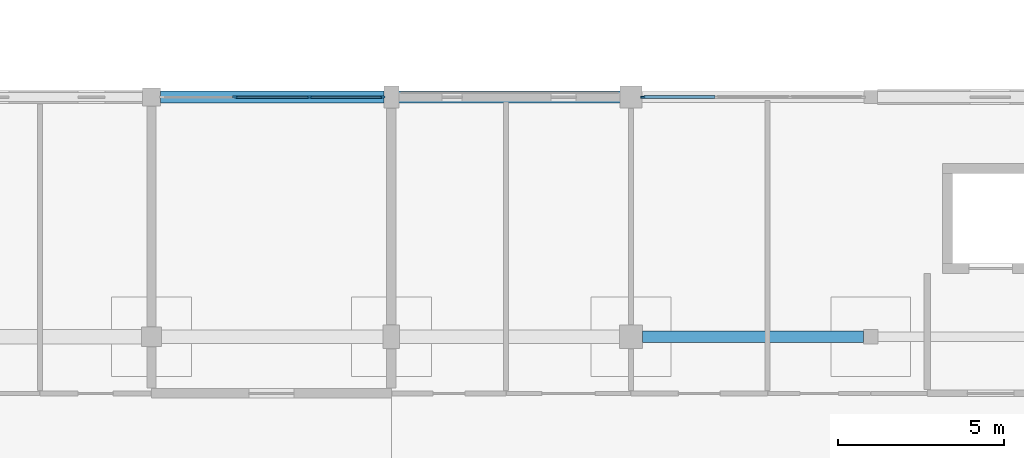
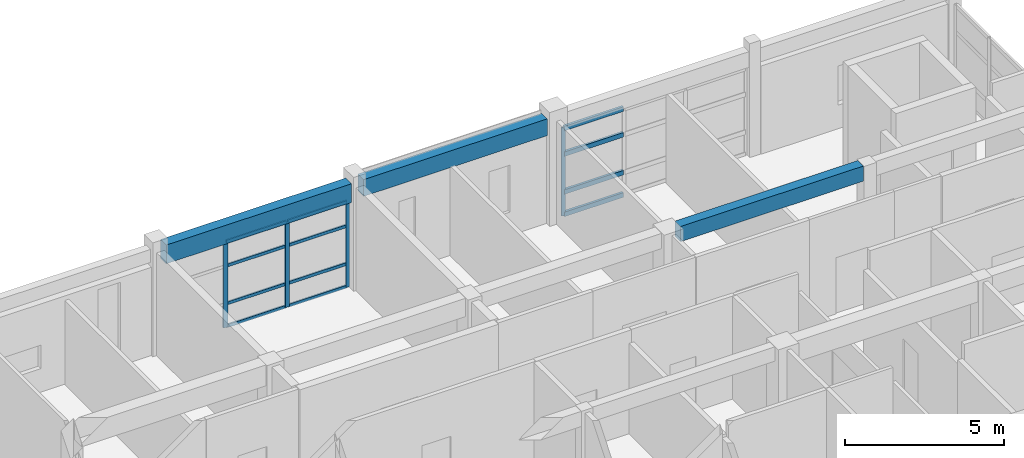
# One storey, part 45 of 110: 16 members, 3 beams, 2 elements without a shape of their own.
"""IFC4 building model written with IfcOpenShell, lengths in metres."""

from ifc_helpers import new_model, si_unit, direction, frame, origin, origin_2d, place, context, subcontext, project, spatial, rectangle, extrude, material, material_profile, profile_set, type_object, element, aggregate, save


model = new_model("IFC4")

# Units and contexts
model_context = context("Model", 3, precision=1e-05, world=origin(), true_north=direction((0.0, 1.0)))
body_context = subcontext(model_context, "Body", "Model", "MODEL_VIEW")
ifc_project = project(units=[si_unit("LENGTHUNIT", "METRE"), si_unit("AREAUNIT", "SQUARE_METRE"), si_unit("VOLUMEUNIT", "CUBIC_METRE"), si_unit("PLANEANGLEUNIT", "RADIAN"), si_unit("MASSUNIT", "GRAM", prefix="KILO")], contexts=[model_context])

# Site, building, storey
site_placement = place(None, origin())
site = spatial("IfcSite", under=ifc_project, at=site_placement, CompositionType="ELEMENT")
building_placement = place(site_placement, origin())
building = spatial("IfcBuilding", under=site, at=building_placement, Name="Steenspoor Specialist Clinic", CompositionType="ELEMENT")
storey_placement = place(building_placement, frame((0.0, 0.0, 4.800048828125)))
storey = spatial("IfcBuildingStorey", under=building, at=storey_placement, Name="L01", CompositionType="ELEMENT", Elevation=4.800048828125)

# Beam
ifc_material_1 = material(Name="Concrete C35/45", Category="concrete")
ifc_material_profile_1 = material_profile(ifc_material_1, rectangle(XDim=0.35009765625, YDim=0.580078125, at=origin_2d()), Name="RC-BM-350X580")
ifc_profile_set_1 = profile_set([ifc_material_profile_1], Name="Concrete C35/45")
beam_type_1 = type_object("IfcBeamType", Name="BM-RC-350X580", PredefinedType="BEAM", material=ifc_profile_set_1)
beam_1_placement = place(storey_placement, frame((147.14501953125, 34.64990234375, 3.744873046875), z_axis=(1.0, 0.0, 0.0), x_axis=(0.0, 1.0, 0.0)))
element("IfcBeam", 1, at=beam_1_placement, inside=storey, type_object=beam_type_1, Name="BM-V2-L01-X0262", PredefinedType="BEAM", context=body_context, shape_type="SweptSolid", body=[
    extrude(rectangle(XDim=0.35009765625, YDim=0.580078125, at=origin_2d()), origin(), (0.0, 0.0, 1.0), 6.635009765625),
])

# Curtain wall, member
ifc_material_2 = material(Name="Thermally broken aluminium and low-emissivity glass", Category="aluminium")
curtain_wall_type_1 = type_object("IfcCurtainWallType", Name="CW-TYP-650X355", PredefinedType="USERDEFINED", material=ifc_material_2)
curtain_wall_1_placement = place(storey_placement, origin())
curtain_wall_1 = element("IfcCurtainWall", 2, at=curtain_wall_1_placement, inside=storey, type_object=curtain_wall_type_1, Name="Unitised Curtain Wall CW-V2-L01-034", ObjectType="UNITISED GLAZING", PredefinedType="USERDEFINED")
ifc_material_3 = material(Name="Thermally broken aluminium 6063-T6", Category="aluminium")
ifc_material_profile_2 = material_profile(ifc_material_3, rectangle(XDim=0.06005859375, YDim=0.135009765625, at=origin_2d()), Name="CWM-60X135")
ifc_profile_set_2 = profile_set([ifc_material_profile_2], Name="Thermally broken aluminium 6063-T6")
member_type_1 = type_object("IfcMemberType", Name="CW-MULL-60X135", PredefinedType="MULLION", material=ifc_profile_set_2)
member_1_placement = place(storey_placement, frame((147.155029296875, 41.85009765625, 0.0), z_axis=(0.0, 0.0, 1.0), x_axis=(0.0, 1.0, 0.0)))
member_1 = element("IfcMember", 3, at=member_1_placement, type_object=member_type_1, Name="CW-10 mullion 1", PredefinedType="MULLION", context=body_context, shape_type="SweptSolid", body=[
    extrude(rectangle(XDim=0.06005859375, YDim=0.135009765625, at=origin_2d()), origin(), (0.0, 0.0, 1.0), 3.3798828125),
])

# Curtain wall, members
curtain_wall_type_2 = type_object("IfcCurtainWallType", Name="CW-TYP-660X355", PredefinedType="USERDEFINED", material=ifc_material_2)
curtain_wall_2_placement = place(storey_placement, origin())
curtain_wall_2 = element("IfcCurtainWall", 4, at=curtain_wall_2_placement, inside=storey, type_object=curtain_wall_type_2, Name="Unitised Curtain Wall CW-V2-L01-033", ObjectType="UNITISED GLAZING", PredefinedType="USERDEFINED")
ifc_material_profile_3 = material_profile(ifc_material_3, rectangle(XDim=0.06494140625, YDim=0.14990234375, at=origin_2d()), Name="CWM-65X150")
ifc_profile_set_3 = profile_set([ifc_material_profile_3], Name="Thermally broken aluminium 6063-T6")
member_type_2 = type_object("IfcMemberType", Name="CW-MULL-65X150", PredefinedType="MULLION", material=ifc_profile_set_3)
member_2_placement = place(storey_placement, frame((134.908447265625, 41.85009765625, 0.0), z_axis=(0.0, 0.0, 1.0), x_axis=(0.0, 1.0, 0.0)))
member_2 = element("IfcMember", 5, at=member_2_placement, type_object=member_type_2, Name="CW-09 mullion 2", PredefinedType="MULLION", context=body_context, shape_type="SweptSolid", body=[
    extrude(rectangle(XDim=0.06494140625, YDim=0.14990234375, at=origin_2d()), origin(), (0.0, 0.0, 1.0), 3.300048828125),
])
member_3_placement = place(storey_placement, frame((137.1416015625, 41.85009765625, 0.0), z_axis=(0.0, 0.0, 1.0), x_axis=(0.0, 1.0, 0.0)))
member_3 = element("IfcMember", 6, at=member_3_placement, type_object=member_type_2, Name="CW-09 mullion 3", PredefinedType="MULLION", context=body_context, shape_type="SweptSolid", body=[
    extrude(rectangle(XDim=0.06494140625, YDim=0.14990234375, at=origin_2d()), origin(), (0.0, 0.0, 1.0), 3.300048828125),
])
member_4_placement = place(storey_placement, frame((139.342529296875, 41.85009765625, 0.0), z_axis=(0.0, 0.0, 1.0), x_axis=(0.0, 1.0, 0.0)))
member_4 = element("IfcMember", 7, at=member_4_placement, type_object=member_type_2, Name="CW-09 mullion 4", PredefinedType="MULLION", context=body_context, shape_type="SweptSolid", body=[
    extrude(rectangle(XDim=0.06494140625, YDim=0.14990234375, at=origin_2d()), origin(), (0.0, 0.0, 1.0), 3.300048828125),
])
ifc_material_profile_4 = material_profile(ifc_material_3, rectangle(XDim=0.06005859375, YDim=0.114990234375, at=origin_2d()), Name="CWT-60X115")
ifc_profile_set_4 = profile_set([ifc_material_profile_4], Name="Thermally broken aluminium 6063-T6")
member_type_3 = type_object("IfcMemberType", Name="CW-TRAN-60X115", PredefinedType="USERDEFINED", material=ifc_profile_set_4)
member_5_placement = place(storey_placement, frame((134.94091796875, 41.85009765625, 0.030029296875), z_axis=(1.0, 0.0, 0.0), x_axis=(0.0, 1.0, 0.0)))
member_5 = element("IfcMember", 8, at=member_5_placement, type_object=member_type_3, Name="CW-09 transom 2.1", ObjectType="TRANSOM", PredefinedType="USERDEFINED", context=body_context, shape_type="SweptSolid", body=[
    extrude(rectangle(XDim=0.06005859375, YDim=0.114990234375, at=origin_2d()), origin(), (0.0, 0.0, 1.0), 2.168212890625),
])
member_6_placement = place(storey_placement, frame((134.94091796875, 41.85009765625, 0.89990234375), z_axis=(1.0, 0.0, 0.0), x_axis=(0.0, 1.0, 0.0)))
member_6 = element("IfcMember", 9, at=member_6_placement, type_object=member_type_3, Name="CW-09 transom 2.2", ObjectType="TRANSOM", PredefinedType="USERDEFINED", context=body_context, shape_type="SweptSolid", body=[
    extrude(rectangle(XDim=0.06005859375, YDim=0.114990234375, at=origin_2d()), origin(), (0.0, 0.0, 1.0), 2.168212890625),
])
member_7_placement = place(storey_placement, frame((134.94091796875, 41.85009765625, 2.349853515625), z_axis=(1.0, 0.0, 0.0), x_axis=(0.0, 1.0, 0.0)))
member_7 = element("IfcMember", 10, at=member_7_placement, type_object=member_type_3, Name="CW-09 transom 2.3", ObjectType="TRANSOM", PredefinedType="USERDEFINED", context=body_context, shape_type="SweptSolid", body=[
    extrude(rectangle(XDim=0.06005859375, YDim=0.114990234375, at=origin_2d()), origin(), (0.0, 0.0, 1.0), 2.168212890625),
])
member_8_placement = place(storey_placement, frame((134.94091796875, 41.85009765625, 3.27001953125), z_axis=(1.0, 0.0, 0.0), x_axis=(0.0, 1.0, 0.0)))
member_8 = element("IfcMember", 11, at=member_8_placement, type_object=member_type_3, Name="CW-09 transom 2.4", ObjectType="TRANSOM", PredefinedType="USERDEFINED", context=body_context, shape_type="SweptSolid", body=[
    extrude(rectangle(XDim=0.06005859375, YDim=0.114990234375, at=origin_2d()), origin(), (0.0, 0.0, 1.0), 2.168212890625),
])
member_9_placement = place(storey_placement, frame((137.174072265625, 41.85009765625, 0.030029296875), z_axis=(1.0, 0.0, 0.0), x_axis=(0.0, 1.0, 0.0)))
member_9 = element("IfcMember", 12, at=member_9_placement, type_object=member_type_3, Name="CW-09 transom 3.1", ObjectType="TRANSOM", PredefinedType="USERDEFINED", context=body_context, shape_type="SweptSolid", body=[
    extrude(rectangle(XDim=0.06005859375, YDim=0.114990234375, at=origin_2d()), origin(), (0.0, 0.0, 1.0), 2.135986328125),
])
member_10_placement = place(storey_placement, frame((137.174072265625, 41.85009765625, 0.89990234375), z_axis=(1.0, 0.0, 0.0), x_axis=(0.0, 1.0, 0.0)))
member_10 = element("IfcMember", 13, at=member_10_placement, type_object=member_type_3, Name="CW-09 transom 3.2", ObjectType="TRANSOM", PredefinedType="USERDEFINED", context=body_context, shape_type="SweptSolid", body=[
    extrude(rectangle(XDim=0.06005859375, YDim=0.114990234375, at=origin_2d()), origin(), (0.0, 0.0, 1.0), 2.135986328125),
])
member_11_placement = place(storey_placement, frame((137.174072265625, 41.85009765625, 2.349853515625), z_axis=(1.0, 0.0, 0.0), x_axis=(0.0, 1.0, 0.0)))
member_11 = element("IfcMember", 14, at=member_11_placement, type_object=member_type_3, Name="CW-09 transom 3.3", ObjectType="TRANSOM", PredefinedType="USERDEFINED", context=body_context, shape_type="SweptSolid", body=[
    extrude(rectangle(XDim=0.06005859375, YDim=0.114990234375, at=origin_2d()), origin(), (0.0, 0.0, 1.0), 2.135986328125),
])
member_12_placement = place(storey_placement, frame((137.174072265625, 41.85009765625, 3.27001953125), z_axis=(1.0, 0.0, 0.0), x_axis=(0.0, 1.0, 0.0)))
member_12 = element("IfcMember", 15, at=member_12_placement, type_object=member_type_3, Name="CW-09 transom 3.4", ObjectType="TRANSOM", PredefinedType="USERDEFINED", context=body_context, shape_type="SweptSolid", body=[
    extrude(rectangle(XDim=0.06005859375, YDim=0.114990234375, at=origin_2d()), origin(), (0.0, 0.0, 1.0), 2.135986328125),
])
aggregate(curtain_wall_2, [member_2, member_3, member_4, member_5, member_6, member_7, member_8, member_9, member_10, member_11, member_12])

# Member
ifc_material_profile_5 = material_profile(ifc_material_3, rectangle(XDim=0.090087890625, YDim=0.175048828125, at=origin_2d()), Name="CWT-90X175")
ifc_profile_set_5 = profile_set([ifc_material_profile_5], Name="Thermally broken aluminium 6063-T6")
member_type_4 = type_object("IfcMemberType", Name="CW-TRAN-90X175", PredefinedType="USERDEFINED", material=ifc_profile_set_5)
member_13_placement = place(storey_placement, frame((147.18505859375, 41.85009765625, 0.044921875), z_axis=(1.0, 0.0, 0.0), x_axis=(0.0, 1.0, 0.0)))
member_13 = element("IfcMember", 16, at=member_13_placement, type_object=member_type_4, Name="CW-10 transom 1.1", ObjectType="TRANSOM", PredefinedType="USERDEFINED", context=body_context, shape_type="SweptSolid", body=[
    extrude(rectangle(XDim=0.090087890625, YDim=0.175048828125, at=origin_2d()), origin(), (0.0, 0.0, 1.0), 2.135009765625),
])

member_14_placement = place(storey_placement, frame((147.18505859375, 41.85009765625, 0.89990234375), z_axis=(1.0, 0.0, 0.0), x_axis=(0.0, 1.0, 0.0)))
member_14 = element("IfcMember", 17, at=member_14_placement, type_object=member_type_4, Name="CW-10 transom 1.2", ObjectType="TRANSOM", PredefinedType="USERDEFINED", context=body_context, shape_type="SweptSolid", body=[
    extrude(rectangle(XDim=0.090087890625, YDim=0.175048828125, at=origin_2d()), origin(), (0.0, 0.0, 1.0), 2.135009765625),
])

member_15_placement = place(storey_placement, frame((147.18505859375, 41.85009765625, 2.349853515625), z_axis=(1.0, 0.0, 0.0), x_axis=(0.0, 1.0, 0.0)))
member_15 = element("IfcMember", 18, at=member_15_placement, type_object=member_type_4, Name="CW-10 transom 1.3", ObjectType="TRANSOM", PredefinedType="USERDEFINED", context=body_context, shape_type="SweptSolid", body=[
    extrude(rectangle(XDim=0.090087890625, YDim=0.175048828125, at=origin_2d()), origin(), (0.0, 0.0, 1.0), 2.135009765625),
])

member_16_placement = place(storey_placement, frame((147.18505859375, 41.85009765625, 3.3349609375), z_axis=(1.0, 0.0, 0.0), x_axis=(0.0, 1.0, 0.0)))
member_16 = element("IfcMember", 19, at=member_16_placement, type_object=member_type_4, Name="CW-10 transom 1.4", ObjectType="TRANSOM", PredefinedType="USERDEFINED", context=body_context, shape_type="SweptSolid", body=[
    extrude(rectangle(XDim=0.090087890625, YDim=0.175048828125, at=origin_2d()), origin(), (0.0, 0.0, 1.0), 2.135009765625),
])

aggregate(curtain_wall_1, [member_1, member_13, member_14, member_15, member_16])

# Beams
ifc_material_profile_6 = material_profile(ifc_material_1, rectangle(XDim=0.360107421875, YDim=0.639892578125, at=origin_2d()), Name="RC-SP-360X640")
ifc_profile_set_6 = profile_set([ifc_material_profile_6], Name="Concrete C35/45")
beam_type_2 = type_object("IfcBeamType", Name="SP-RC-360X640", PredefinedType="SPANDREL", material=ifc_profile_set_6)
beam_2_placement = place(storey_placement, frame((139.820068359375, 41.85009765625, 3.71484375), z_axis=(1.0, 0.0, 0.0), x_axis=(0.0, 1.0, 0.0)))
element("IfcBeam", 20, at=beam_2_placement, inside=storey, type_object=beam_type_2, Name="BM-V2-L01-X0267", PredefinedType="SPANDREL", context=body_context, shape_type="SweptSolid", body=[
    extrude(rectangle(XDim=0.360107421875, YDim=0.639892578125, at=origin_2d()), origin(), (0.0, 0.0, 1.0), 6.659912109375),
])
ifc_material_profile_7 = material_profile(ifc_material_1, rectangle(XDim=0.360107421875, YDim=0.719970703125, at=origin_2d()), Name="RC-SP-360X720")
ifc_profile_set_7 = profile_set([ifc_material_profile_7], Name="Concrete C35/45")
beam_type_3 = type_object("IfcBeamType", Name="SP-RC-360X720", PredefinedType="SPANDREL", material=ifc_profile_set_7)
beam_3_placement = place(storey_placement, frame((132.669921875, 41.85009765625, 3.675048828125), z_axis=(1.0, 0.0, 0.0), x_axis=(0.0, 1.0, 0.0)))
element("IfcBeam", 21, at=beam_3_placement, inside=storey, type_object=beam_type_3, Name="BM-V2-L01-X0266", PredefinedType="SPANDREL", context=body_context, shape_type="SweptSolid", body=[
    extrude(rectangle(XDim=0.360107421875, YDim=0.719970703125, at=origin_2d()), origin(), (0.0, 0.0, 1.0), 6.7099609375),
])

save(model, "model.ifc")
